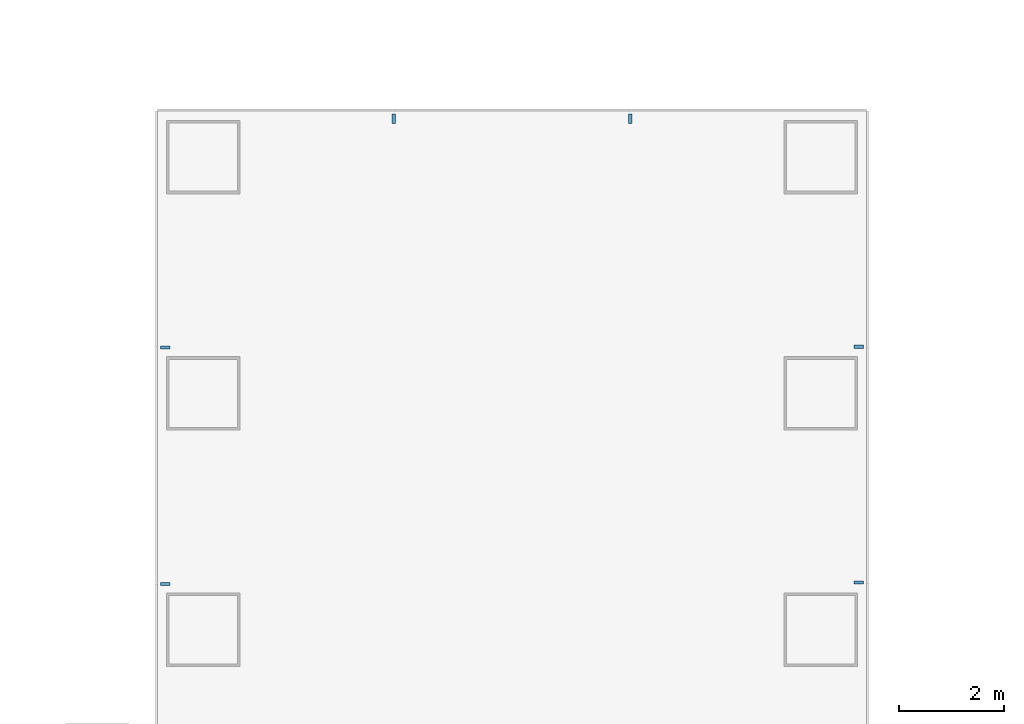
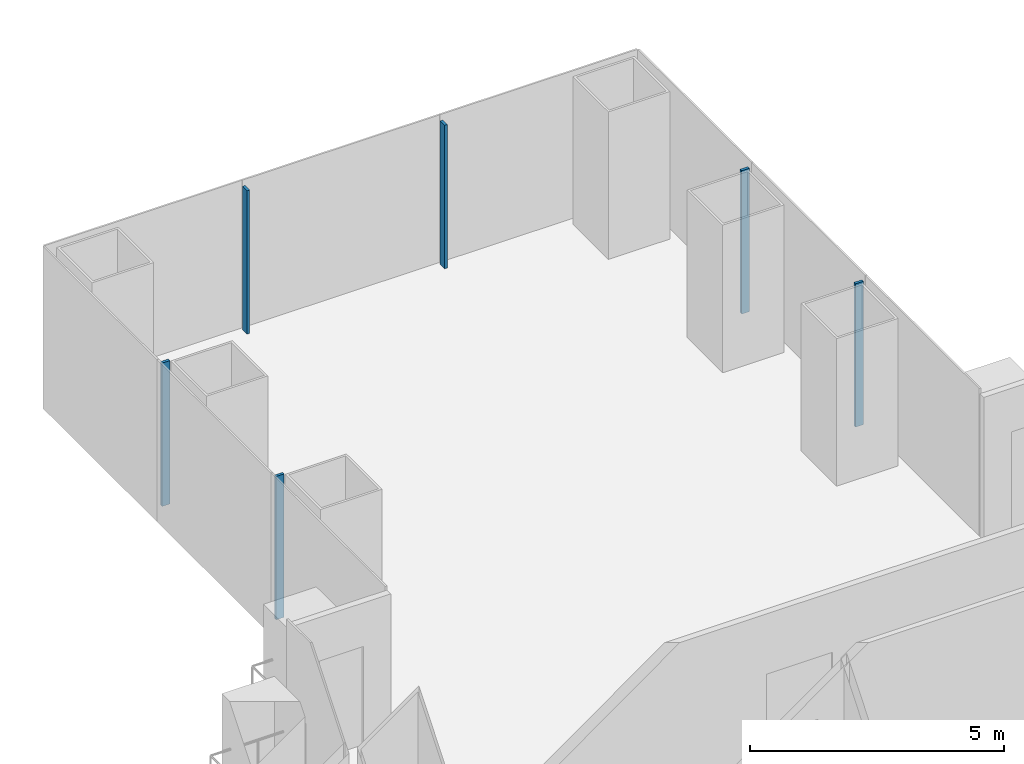
# One storey, part 6 of 21: 6 members, 3 elements without a shape of their own.
"""IFC4 building model written with IfcOpenShell, lengths in metres."""

from ifc_helpers import new_model, si_unit, direction, frame, origin, origin_2d, place, context, subcontext, project, spatial, rectangle, extrude, material, layer, layer_set, material_profile, profile_set, type_object, element, aggregate, save


model = new_model("IFC4")

# Units and contexts
model_context = context("Model", 3, precision=1e-05, world=origin(), true_north=direction((0.0, 1.0)))
body_context = subcontext(model_context, "Body", "Model", "MODEL_VIEW")
ifc_project = project(units=[si_unit("LENGTHUNIT", "METRE"), si_unit("AREAUNIT", "SQUARE_METRE"), si_unit("VOLUMEUNIT", "CUBIC_METRE"), si_unit("PLANEANGLEUNIT", "RADIAN"), si_unit("MASSUNIT", "GRAM", prefix="KILO")], contexts=[model_context])

# Site, building, storey
site_placement = place(None, origin())
site = spatial("IfcSite", under=ifc_project, at=site_placement, CompositionType="ELEMENT")
building_placement = place(site_placement, origin())
building = spatial("IfcBuilding", under=site, at=building_placement, Name="Shamsa Quay Exchange Towers", CompositionType="ELEMENT")
storey_placement = place(building_placement, frame((0.0, 0.0, 65.39990234375)))
storey = spatial("IfcBuildingStorey", under=building, at=storey_placement, Name="L14", CompositionType="ELEMENT", Elevation=65.39990234375)

# Curtain wall, members
ifc_material = material(Name="Aluminium EN AW-6063 T6, black anodised", Category="aluminium")
ifc_layer = layer(ifc_material, 0.280029296875)
ifc_layer_set = layer_set([ifc_layer], Name="CW-1 UNITISED VISION GLASS")
curtain_wall_type = type_object("IfcCurtainWallType", Name="CW-1 UNITISED VISION GLASS", PredefinedType="NOTDEFINED", material=ifc_layer_set)
curtain_wall_1_placement = place(storey_placement, origin())
curtain_wall_1 = element("IfcCurtainWall", 1, at=curtain_wall_1_placement, inside=storey, type_object=curtain_wall_type, Name="CW1 T1-FLK-V+E L14", PredefinedType="NOTDEFINED")
ifc_material_profile = material_profile(ifc_material, rectangle(XDim=0.179931640625, YDim=0.06005859375, at=origin_2d()), Name="MU60x180")
ifc_profile_set = profile_set([ifc_material_profile], Name="Aluminium EN AW-6063 T6, black anodised")
member_type = type_object("IfcMemberType", Name="CW1 MULLION 60x180", PredefinedType="MULLION", material=ifc_profile_set)
member_1_placement = place(storey_placement, frame((-27.14990234375, 15.775390625, 0.0), z_axis=(0.0, 0.0, 1.0), x_axis=(-1.0, 0.0, 0.0)))
member_1 = element("IfcMember", 2, at=member_1_placement, type_object=member_type, Name="CW1 mullion", PredefinedType="MULLION", context=body_context, shape_type="SweptSolid", body=[
    extrude(rectangle(XDim=0.179931640625, YDim=0.06005859375, at=origin_2d()), origin(), (0.0, 0.0, 1.0), 3.4501953125),
])
member_2_placement = place(storey_placement, frame((-27.14990234375, 20.2626953125, 0.0), z_axis=(0.0, 0.0, 1.0), x_axis=(-1.0, 0.0, 0.0)))
member_2 = element("IfcMember", 3, at=member_2_placement, type_object=member_type, Name="CW1 mullion", PredefinedType="MULLION", context=body_context, shape_type="SweptSolid", body=[
    extrude(rectangle(XDim=0.179931640625, YDim=0.06005859375, at=origin_2d()), origin(), (0.0, 0.0, 1.0), 3.4501953125),
])
aggregate(curtain_wall_1, [member_1, member_2])

curtain_wall_2_placement = place(storey_placement, origin())
curtain_wall_2 = element("IfcCurtainWall", 4, at=curtain_wall_2_placement, inside=storey, type_object=curtain_wall_type, Name="CW1 T1-END-V+ L14", PredefinedType="NOTDEFINED")
member_3_placement = place(storey_placement, frame((-31.5, 24.60009765625, 0.0), z_axis=(0.0, 0.0, 1.0), x_axis=(0.0, -1.0, 0.0)))
member_3 = element("IfcMember", 5, at=member_3_placement, type_object=member_type, Name="CW1 mullion", PredefinedType="MULLION", context=body_context, shape_type="SweptSolid", body=[
    extrude(rectangle(XDim=0.179931640625, YDim=0.06005859375, at=origin_2d()), origin(), (0.0, 0.0, 1.0), 3.4501953125),
])
member_4_placement = place(storey_placement, frame((-36.0, 24.60009765625, 0.0), z_axis=(0.0, 0.0, 1.0), x_axis=(0.0, -1.0, 0.0)))
member_4 = element("IfcMember", 6, at=member_4_placement, type_object=member_type, Name="CW1 mullion", PredefinedType="MULLION", context=body_context, shape_type="SweptSolid", body=[
    extrude(rectangle(XDim=0.179931640625, YDim=0.06005859375, at=origin_2d()), origin(), (0.0, 0.0, 1.0), 3.4501953125),
])
aggregate(curtain_wall_2, [member_3, member_4])

curtain_wall_3_placement = place(storey_placement, origin())
curtain_wall_3 = element("IfcCurtainWall", 7, at=curtain_wall_3_placement, inside=storey, type_object=curtain_wall_type, Name="CW1 T1-FLK-V+W L14", PredefinedType="NOTDEFINED")
member_5_placement = place(storey_placement, frame((-40.35009765625, 20.25, 0.0)))
member_5 = element("IfcMember", 8, at=member_5_placement, type_object=member_type, Name="CW1 mullion", PredefinedType="MULLION", context=body_context, shape_type="SweptSolid", body=[
    extrude(rectangle(XDim=0.179931640625, YDim=0.06005859375, at=origin_2d()), origin(), (0.0, 0.0, 1.0), 3.4501953125),
])
member_6_placement = place(storey_placement, frame((-40.35009765625, 15.75, 0.0)))
member_6 = element("IfcMember", 9, at=member_6_placement, type_object=member_type, Name="CW1 mullion", PredefinedType="MULLION", context=body_context, shape_type="SweptSolid", body=[
    extrude(rectangle(XDim=0.179931640625, YDim=0.06005859375, at=origin_2d()), origin(), (0.0, 0.0, 1.0), 3.4501953125),
])
aggregate(curtain_wall_3, [member_5, member_6])

save(model, "model.ifc")
